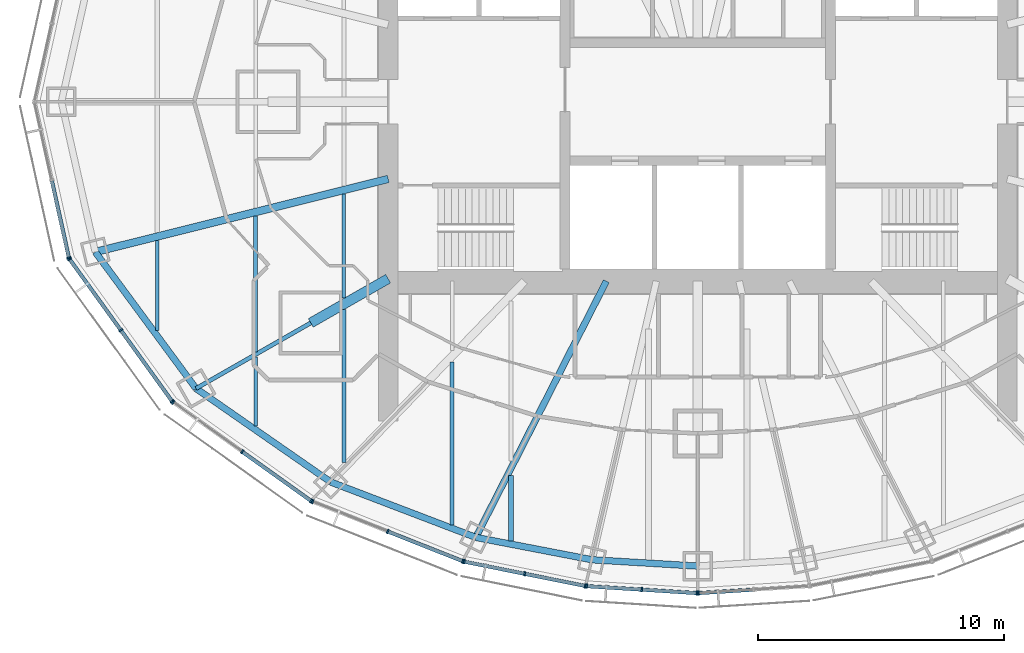
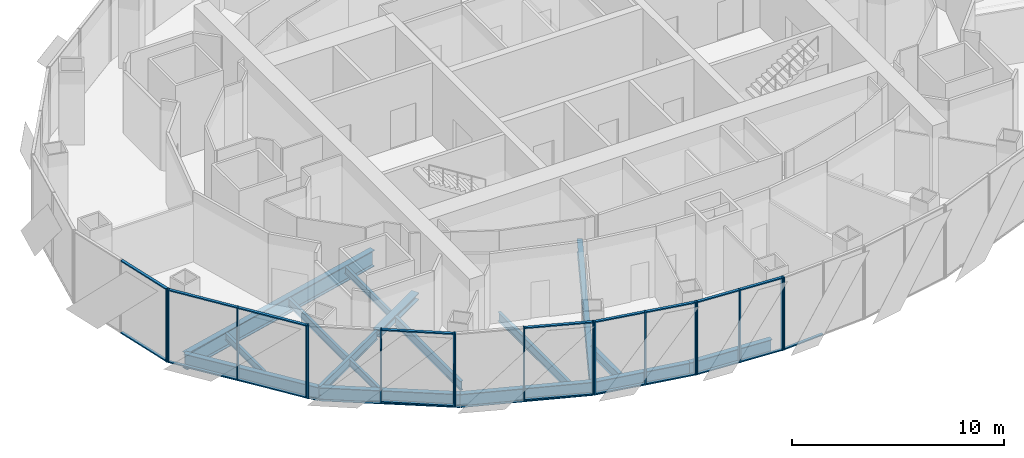
# One storey, part 2 of 18: 36 members, 16 beams, 7 elements without a shape of their own.
"""IFC4 building model written with IfcOpenShell, lengths in metres."""

import ifcopenshell
import ifcopenshell.guid

model = None  # the IFC model being written
_history = None  # IfcOwnerHistory: only IFC2X3 demands one
_inside = {}  # id of a spatial element -> (the spatial element, [elements in it])
_under = {}  # id of a project, library or spatial element -> (it, [spatial elements below it])
_declared = {}  # id of a project -> (the project, [libraries it declares])
_typed = {}  # id of a type object -> (the type object, [elements of that type])
_made_of = {}  # id of a material, layer set ... -> (it, [elements and type objects made of it])


def new_model(schema):
    """Start an empty IFC model of exactly this schema.

    Asked for "IFC4X3", IfcOpenShell would pick the latest addendum, in which some entities
    have other attributes; the version numbers below select the first issue.
    IFC2X3 requires an IfcOwnerHistory on every rooted entity: one is made here for all.
    """
    global model, _history
    if schema == "IFC4X3":
        model = ifcopenshell.file(schema_version=(4, 3, 0, 0))
    else:
        model = ifcopenshell.file(schema=schema)
    _inside.clear()
    _under.clear()
    _declared.clear()
    _typed.clear()
    _made_of.clear()
    _history = None
    if model.schema == "IFC2X3":
        org = make("IfcOrganization", Name="unknown")
        user = make(
            "IfcPersonAndOrganization",
            ThePerson=make("IfcPerson", FamilyName="unknown"),
            TheOrganization=org,
        )
        app = make(
            "IfcApplication",
            ApplicationDeveloper=org,
            Version="unknown",
            ApplicationFullName="unknown",
            ApplicationIdentifier="unknown",
        )
        _history = make(
            "IfcOwnerHistory",
            OwningUser=user,
            OwningApplication=app,
            ChangeAction="ADDED",
            CreationDate=0,
        )
    return model


def make(cls, **values):
    """One entity of the class cls with the attributes given. An attribute that is None is left unset."""
    return model.create_entity(
        cls, **{name: value for name, value in values.items() if value is not None}
    )


def rooted(cls, **values):
    """An entity with a GlobalId (a new one), such as an element, a storey or a relation."""
    return make(cls, GlobalId=ifcopenshell.guid.new(), OwnerHistory=_history, **values)


def si_unit(unit_type, name, prefix=None):
    """IfcSIUnit, for example si_unit("LENGTHUNIT", "METRE", prefix="MILLI")."""
    return make("IfcSIUnit", UnitType=unit_type, Prefix=prefix, Name=name)


def assignment(units):
    """IfcUnitAssignment: the units of a project."""
    return None if units is None else make("IfcUnitAssignment", Units=units)


def point(xyz):
    """IfcCartesianPoint."""
    return None if xyz is None else make("IfcCartesianPoint", Coordinates=xyz)


def direction(xyz):
    """IfcDirection."""
    return None if xyz is None else make("IfcDirection", DirectionRatios=xyz)


def frame(location, z_axis=None, x_axis=None):
    """IfcAxis2Placement3D, a coordinate frame: its origin and axes. An axis left out is left unset."""
    return make(
        "IfcAxis2Placement3D",
        Location=point(location),
        Axis=direction(z_axis),
        RefDirection=direction(x_axis),
    )


def frame_2d(location, x_axis=None):
    """IfcAxis2Placement2D, a coordinate frame in the plane: its origin and x axis."""
    return make(
        "IfcAxis2Placement2D", Location=point(location), RefDirection=direction(x_axis)
    )


def origin():
    """The frame at (0, 0, 0) with its axes left unset."""
    return frame((0.0, 0.0, 0.0))


def origin_2d():
    """The frame at (0, 0) in the plane with its x axis left unset."""
    return frame_2d((0.0, 0.0))


def place(relative_to, where):
    """IfcLocalPlacement: puts the frame where relative to a parent placement (None: the world)."""
    return make(
        "IfcLocalPlacement", PlacementRelTo=relative_to, RelativePlacement=where
    )


def context(
    kind, dimensions, precision=None, world=None, true_north=None, identifier=None
):
    """IfcGeometricRepresentationContext, for example the 3D "Model" context."""
    return make(
        "IfcGeometricRepresentationContext",
        ContextIdentifier=identifier,
        ContextType=kind,
        CoordinateSpaceDimension=dimensions,
        Precision=precision,
        WorldCoordinateSystem=world,
        TrueNorth=true_north,
    )


def subcontext(parent, identifier, kind, view, scale=None):
    """IfcGeometricRepresentationSubContext, for example "Body" below "Model"."""
    return make(
        "IfcGeometricRepresentationSubContext",
        ContextIdentifier=identifier,
        ContextType=kind,
        ParentContext=parent,
        TargetScale=scale,
        TargetView=view,
    )


def project(units=None, contexts=None):
    """IfcProject with its units and contexts."""
    return rooted(
        "IfcProject",
        Name="project",
        RepresentationContexts=contexts,
        UnitsInContext=assignment(units),
    )


def spatial(cls, under=None, at=None, **own):
    """A site, building, storey or space (cls), placed at a placement, below another one or the project."""
    s = rooted(cls, ObjectPlacement=at, **own)
    if under is not None:
        _under.setdefault(under.id(), (under, []))[1].append(s)
    return s


def profile(cls, at=None, kind="AREA", **sizes):
    """A parametric profile (cls). Its sizes go by their IFC names, for example OverallWidth=200.0."""
    return make(cls, ProfileType=kind, Position=at, **sizes)


def rectangle(**sizes):
    """IfcRectangleProfileDef."""
    return profile("IfcRectangleProfileDef", **sizes)


def i_section(**sizes):
    """IfcIShapeProfileDef."""
    return profile("IfcIShapeProfileDef", **sizes)


def extrude(swept, where, along, depth):
    """IfcExtrudedAreaSolid: the profile swept, set in the frame where, extruded along a direction by depth."""
    return make(
        "IfcExtrudedAreaSolid",
        SweptArea=swept,
        Position=where,
        ExtrudedDirection=direction(along),
        Depth=depth,
    )


def shape(context_of_items, identifier, shape_type, items):
    """IfcShapeRepresentation: the items that make up one representation, for example the "Body"."""
    return make(
        "IfcShapeRepresentation",
        ContextOfItems=context_of_items,
        RepresentationIdentifier=identifier,
        RepresentationType=shape_type,
        Items=items,
    )


def material(Name=None, Category=None):
    """IfcMaterial."""
    return make("IfcMaterial", Name=Name, Category=Category)


def material_profile(
    of_material, cross_section, Name=None, Category=None, Priority=None
):
    """IfcMaterialProfile: a cross section and its material."""
    return make(
        "IfcMaterialProfile",
        Name=Name,
        Material=of_material,
        Profile=cross_section,
        Priority=Priority,
        Category=Category,
    )


def profile_set(profiles, Name=None, composite=None):
    """IfcMaterialProfileSet."""
    return make(
        "IfcMaterialProfileSet",
        Name=Name,
        MaterialProfiles=profiles,
        CompositeProfile=composite,
    )


def made_of(thing, what):
    """Note that an element or type object is made of a material, layer set ...; save() writes the relation."""
    if what is not None:
        _made_of.setdefault(what.id(), (what, []))[1].append(thing)
    return thing


def type_object(cls, material=None, **own):
    """A type object (cls), such as IfcWallType, which elements share."""
    return made_of(rooted(cls, **own), material)


def element(
    cls,
    number,
    at=None,
    inside=None,
    cuts=None,
    type_object=None,
    material=None,
    context=None,
    identifier="Body",
    shape_type=None,
    held_by="IfcProductDefinitionShape",
    body=None,
    shapes=None,
    **own,
):
    """One element of the class cls, such as IfcWall. Its Tag is "e" and its number.

    at: its placement. inside: the storey or other place that contains it. cuts: it is an
    opening in that element (IfcRelVoidsElement). A single representation is given by context,
    identifier, shape_type and body (its items); several are given by shapes. held_by: the class
    of the entity that holds the representations. save() writes the other relations.
    """
    e = rooted(cls, Tag="e%d" % number, ObjectPlacement=at, **own)
    if body is not None:
        shapes = [shape(context, identifier, shape_type, body)]
    if shapes is not None:
        e.Representation = make(held_by, Representations=shapes)
    if inside is not None:
        _inside.setdefault(inside.id(), (inside, []))[1].append(e)
    if cuts is not None:
        rooted(
            "IfcRelVoidsElement", RelatingBuildingElement=cuts, RelatedOpeningElement=e
        )
    if type_object is not None:
        _typed.setdefault(type_object.id(), (type_object, []))[1].append(e)
    return made_of(e, material)


def aggregate(whole, parts):
    """IfcRelAggregates: a whole, such as a stair, and the parts it consists of."""
    return rooted("IfcRelAggregates", RelatingObject=whole, RelatedObjects=parts)


def save(model, path):
    """Write the relations noted so far, then the file.

    IfcRelAggregates (storeys below a building ...), IfcRelContainedInSpatialStructure (elements
    in a storey), IfcRelDefinesByType, IfcRelAssociatesMaterial and IfcRelDeclares: one each for
    every whole, place, type object, material and project.
    """
    for whole, parts in _under.values():
        aggregate(whole, parts)
    for where, things in _inside.values():
        rooted(
            "IfcRelContainedInSpatialStructure",
            RelatedElements=things,
            RelatingStructure=where,
        )
    for kind, things in _typed.values():
        rooted("IfcRelDefinesByType", RelatedObjects=things, RelatingType=kind)
    for what, things in _made_of.values():
        rooted("IfcRelAssociatesMaterial", RelatedObjects=things, RelatingMaterial=what)
    for by, libraries in _declared.values():
        rooted("IfcRelDeclares", RelatingContext=by, RelatedDefinitions=libraries)
    model.write(path)


model = new_model("IFC4")

# Units and contexts
model_context = context("Model", 3, precision=1e-05, world=origin(), true_north=direction((0.0, 1.0)))
body_context = subcontext(model_context, "Body", "Model", "MODEL_VIEW")
ifc_project = project(units=[si_unit("LENGTHUNIT", "METRE"), si_unit("AREAUNIT", "SQUARE_METRE"), si_unit("VOLUMEUNIT", "CUBIC_METRE"), si_unit("PLANEANGLEUNIT", "RADIAN"), si_unit("MASSUNIT", "GRAM", prefix="KILO")], contexts=[model_context])

# Site, building, storey
site_placement = place(None, origin())
site = spatial("IfcSite", under=ifc_project, at=site_placement, CompositionType="ELEMENT")
building_placement = place(site_placement, origin())
building = spatial("IfcBuilding", under=site, at=building_placement, Name="Lantaw Convention Tower", CompositionType="ELEMENT")
storey_placement = place(building_placement, frame((0.0, 0.0, 236.800048828125)))
storey = spatial("IfcBuildingStorey", under=building, at=storey_placement, Name="L55", CompositionType="ELEMENT", Elevation=236.800048828125)

# Beams
ifc_material_1 = material(Name="Steel ASTM A992", Category="steel")
ifc_material_profile_1 = material_profile(ifc_material_1, i_section(OverallWidth=0.2666015625, OverallDepth=0.76953125, WebThickness=0.015625, FlangeThickness=0.025390625, FilletRadius=0.0126953125, at=origin_2d()), Name="W30X132")
ifc_profile_set_1 = profile_set([ifc_material_profile_1], Name="Steel ASTM A992")
beam_type_1 = type_object("IfcBeamType", Name="Beam E W30X132", PredefinedType="SPANDREL", material=ifc_profile_set_1)
beam_1_placement = place(storey_placement, frame((-24.52197265625, -6.114013671875, -0.534912109375), z_axis=(0.593639188853, -0.804731329984, 0.0), x_axis=(0.804731329984, 0.593639188853, 0.0)))
element("IfcBeam", 1, at=beam_1_placement, inside=storey, type_object=beam_type_1, Name="Edge beam 14", PredefinedType="SPANDREL", context=body_context, shape_type="SweptSolid", body=[
    extrude(i_section(OverallWidth=0.2666015625, OverallDepth=0.76953125, WebThickness=0.015625, FlangeThickness=0.025390625, FilletRadius=0.0126953125, at=origin_2d()), origin(), (0.0, 0.0, 1.0), 6.904541015625),
])
beam_2_placement = place(storey_placement, frame((-20.423095703125, -11.67041015625, -0.534912109375), z_axis=(0.82135329406, -0.570419815869, 0.0), x_axis=(0.570419815869, 0.82135329406, 0.0)))
element("IfcBeam", 2, at=beam_2_placement, inside=storey, type_object=beam_type_1, Name="Edge beam 15", PredefinedType="SPANDREL", context=body_context, shape_type="SweptSolid", body=[
    extrude(i_section(OverallWidth=0.2666015625, OverallDepth=0.76953125, WebThickness=0.015625, FlangeThickness=0.025390625, FilletRadius=0.0126953125, at=origin_2d()), origin(), (0.0, 0.0, 1.0), 6.67041015625),
])
beam_3_placement = place(storey_placement, frame((-14.9443359375, -15.475341796875, -0.534912109375), z_axis=(0.934234988, -0.356658081637, 0.0), x_axis=(0.356658081637, 0.934234988, 0.0)))
element("IfcBeam", 3, at=beam_3_placement, inside=storey, type_object=beam_type_1, Name="Edge beam 16", PredefinedType="SPANDREL", context=body_context, shape_type="SweptSolid", body=[
    extrude(i_section(OverallWidth=0.2666015625, OverallDepth=0.76953125, WebThickness=0.015625, FlangeThickness=0.025390625, FilletRadius=0.0126953125, at=origin_2d()), origin(), (0.0, 0.0, 1.0), 6.32568359375),
])
beam_4_placement = place(storey_placement, frame((-9.03466796875, -17.7314453125, -0.534912109375), z_axis=(0.981972091702, -0.189025953556, 0.0), x_axis=(0.189025953556, 0.981972091702, 0.0)))
element("IfcBeam", 4, at=beam_4_placement, inside=storey, type_object=beam_type_1, Name="Edge beam 17", PredefinedType="SPANDREL", context=body_context, shape_type="SweptSolid", body=[
    extrude(i_section(OverallWidth=0.2666015625, OverallDepth=0.76953125, WebThickness=0.015625, FlangeThickness=0.025390625, FilletRadius=0.0126953125, at=origin_2d()), origin(), (0.0, 0.0, 1.0), 4.817626953125),
])
beam_5_placement = place(storey_placement, frame((-4.303955078125, -18.64208984375, -0.534912109375), z_axis=(0.998210730897, -0.059794119452, 0.0), x_axis=(0.059794119452, 0.998210730897, 0.0)))
element("IfcBeam", 5, at=beam_5_placement, inside=storey, type_object=beam_type_1, Name="Edge beam 18", PredefinedType="SPANDREL", context=body_context, shape_type="SweptSolid", body=[
    extrude(i_section(OverallWidth=0.2666015625, OverallDepth=0.76953125, WebThickness=0.015625, FlangeThickness=0.025390625, FilletRadius=0.0126953125, at=origin_2d()), origin(), (0.0, 0.0, 1.0), 4.311767578125),
])
ifc_material_profile_2 = material_profile(ifc_material_1, i_section(OverallWidth=0.1650390625, OverallDepth=0.52587890625, WebThickness=0.0087890625, FlangeThickness=0.011474609375, FilletRadius=0.0126953125, at=origin_2d()), Name="W21X44")
ifc_profile_set_2 = profile_set([ifc_material_profile_2], Name="Steel ASTM A992")
beam_type_2 = type_object("IfcBeamType", Name="Beam G W21X44", PredefinedType="BEAM", material=ifc_profile_set_2)
beam_6_placement = place(storey_placement, frame((-15.75, -9.0, -0.412841796875), z_axis=(-0.868237559289, -0.496148708192, 0.0), x_axis=(0.496148708192, -0.868237559289, 0.0)))
element("IfcBeam", 6, at=beam_6_placement, inside=storey, type_object=beam_type_2, Name="Floor girder on ray 15", PredefinedType="BEAM", context=body_context, shape_type="SweptSolid", body=[
    extrude(i_section(OverallWidth=0.1650390625, OverallDepth=0.52587890625, WebThickness=0.0087890625, FlangeThickness=0.011474609375, FilletRadius=0.0126953125, at=origin_2d()), origin(), (0.0, 0.0, 1.0), 5.38232421875),
])
ifc_material_profile_3 = material_profile(ifc_material_1, i_section(OverallWidth=0.2666015625, OverallDepth=0.7568359375, WebThickness=0.013916015625, FlangeThickness=0.019287109375, FilletRadius=0.0126953125, at=origin_2d()), Name="W30X108")
ifc_profile_set_3 = profile_set([ifc_material_profile_3], Name="Steel ASTM A992")
beam_type_3 = type_object("IfcBeamType", Name="Beam G W30X108", PredefinedType="BEAM", material=ifc_profile_set_3)
beam_7_placement = place(storey_placement, frame((-3.719482421875, -7.300048828125, -0.528564453125), z_axis=(-0.4539988787, -0.891002254845, 0.0), x_axis=(0.891002254845, -0.4539988787, 0.0)))
element("IfcBeam", 7, at=beam_7_placement, inside=storey, type_object=beam_type_3, Name="Floor girder on ray 17", PredefinedType="BEAM", context=body_context, shape_type="SweptSolid", body=[
    extrude(i_section(OverallWidth=0.2666015625, OverallDepth=0.7568359375, WebThickness=0.013916015625, FlangeThickness=0.019287109375, FilletRadius=0.0126953125, at=origin_2d()), origin(), (0.0, 0.0, 1.0), 11.70751953125),
])
ifc_material_profile_4 = material_profile(ifc_material_1, i_section(OverallWidth=0.307373046875, OverallDepth=0.9423828125, WebThickness=0.022216796875, FlangeThickness=0.039794921875, FilletRadius=0.0126953125, at=origin_2d()), Name="W36X232")
ifc_profile_set_4 = profile_set([ifc_material_profile_4], Name="Steel ASTM A992")
beam_type_4 = type_object("IfcBeamType", Name="Beam G W36X232", PredefinedType="BEAM", material=ifc_profile_set_4)
beam_8_placement = place(storey_placement, frame((-12.60009765625, -3.1416015625, -0.621337890625), z_axis=(-0.970296589314, -0.241918434119, 0.0), x_axis=(0.241918434119, -0.970296589314, 0.0)))
element("IfcBeam", 8, at=beam_8_placement, inside=storey, type_object=beam_type_4, Name="Floor girder on ray 14", PredefinedType="BEAM", context=body_context, shape_type="SweptSolid", body=[
    extrude(i_section(OverallWidth=0.307373046875, OverallDepth=0.9423828125, WebThickness=0.022216796875, FlangeThickness=0.039794921875, FilletRadius=0.0126953125, at=origin_2d()), origin(), (0.0, 0.0, 1.0), 12.286865234375),
])
ifc_material_profile_5 = material_profile(ifc_material_1, i_section(OverallWidth=0.40380859375, OverallDepth=0.406494140625, WebThickness=0.027099609375, FlangeThickness=0.043701171875, FilletRadius=0.01513671875, at=origin_2d()), Name="W14X233")
ifc_profile_set_5 = profile_set([ifc_material_profile_5], Name="Steel ASTM A992")
beam_type_5 = type_object("IfcBeamType", Name="Beam GM W14X233", PredefinedType="BEAM", material=ifc_profile_set_5)
beam_9_placement = place(storey_placement, frame((-12.60009765625, -7.199951171875, -0.353271484375), z_axis=(-0.868230718294, -0.496160679428, 0.0), x_axis=(0.496160679428, -0.868230718294, 0.0)))
element("IfcBeam", 9, at=beam_9_placement, inside=storey, type_object=beam_type_5, Name="Core link beam on ray 15", PredefinedType="BEAM", context=body_context, shape_type="SweptSolid", body=[
    extrude(i_section(OverallWidth=0.40380859375, OverallDepth=0.406494140625, WebThickness=0.027099609375, FlangeThickness=0.043701171875, FilletRadius=0.01513671875, at=origin_2d()), origin(), (0.0, 0.0, 1.0), 3.6279296875),
])
ifc_material_profile_6 = material_profile(ifc_material_1, i_section(OverallWidth=0.140380859375, OverallDepth=0.40380859375, WebThickness=0.007080078125, FlangeThickness=0.01123046875, FilletRadius=0.01025390625, at=origin_2d()), Name="W16X31")
ifc_profile_set_6 = profile_set([ifc_material_profile_6], Name="Steel ASTM A992")
beam_type_6 = type_object("IfcBeamType", Name="Beam J W16X31", PredefinedType="JOIST", material=ifc_profile_set_6)
beam_10_placement = place(storey_placement, frame((-22.0, -9.30810546875, -0.35205078125), z_axis=(0.0, 1.0, 0.0), x_axis=(-1.0, 0.0, 0.0)))
element("IfcBeam", 10, at=beam_10_placement, inside=storey, type_object=beam_type_6, Name="Floor joist", PredefinedType="JOIST", context=body_context, shape_type="SweptSolid", body=[
    extrude(i_section(OverallWidth=0.140380859375, OverallDepth=0.40380859375, WebThickness=0.007080078125, FlangeThickness=0.01123046875, FilletRadius=0.01025390625, at=origin_2d()), origin(), (0.0, 0.0, 1.0), 3.66455078125),
])
beam_11_placement = place(storey_placement, frame((-18.0, -13.19091796875, -0.35205078125), z_axis=(0.0, 1.0, 0.0), x_axis=(-1.0, 0.0, 0.0)))
element("IfcBeam", 11, at=beam_11_placement, inside=storey, type_object=beam_type_6, Name="Floor joist", PredefinedType="JOIST", context=body_context, shape_type="SweptSolid", body=[
    extrude(i_section(OverallWidth=0.140380859375, OverallDepth=0.40380859375, WebThickness=0.007080078125, FlangeThickness=0.01123046875, FilletRadius=0.01025390625, at=origin_2d()), origin(), (0.0, 0.0, 1.0), 2.81005859375),
])
beam_12_placement = place(storey_placement, frame((-14.39990234375, -7.99609375, -0.35205078125), z_axis=(0.0, 1.0, 0.0), x_axis=(-1.0, 0.0, 0.0)))
element("IfcBeam", 12, at=beam_12_placement, inside=storey, type_object=beam_type_6, Name="Floor joist", PredefinedType="JOIST", context=body_context, shape_type="SweptSolid", body=[
    extrude(i_section(OverallWidth=0.140380859375, OverallDepth=0.40380859375, WebThickness=0.007080078125, FlangeThickness=0.01123046875, FilletRadius=0.01025390625, at=origin_2d()), origin(), (0.0, 0.0, 1.0), 4.247314453125),
])
ifc_material_profile_7 = material_profile(ifc_material_1, i_section(OverallWidth=0.15234375, OverallDepth=0.449462890625, WebThickness=0.007568359375, FlangeThickness=0.0107421875, FilletRadius=0.01025390625, at=origin_2d()), Name="W18X35")
ifc_profile_set_7 = profile_set([ifc_material_profile_7], Name="Steel ASTM A992")
beam_type_7 = type_object("IfcBeamType", Name="Beam J W18X35", PredefinedType="JOIST", material=ifc_profile_set_7)
beam_13_placement = place(storey_placement, frame((-18.0, -10.190673828125, -0.374755859375), z_axis=(0.0, 1.0, 0.0), x_axis=(-1.0, 0.0, 0.0)))
element("IfcBeam", 13, at=beam_13_placement, inside=storey, type_object=beam_type_7, Name="Floor joist", PredefinedType="JOIST", context=body_context, shape_type="SweptSolid", body=[
    extrude(i_section(OverallWidth=0.15234375, OverallDepth=0.449462890625, WebThickness=0.007568359375, FlangeThickness=0.0107421875, FilletRadius=0.01025390625, at=origin_2d()), origin(), (0.0, 0.0, 1.0), 5.54443359375),
])
ifc_material_profile_8 = material_profile(ifc_material_1, i_section(OverallWidth=0.1650390625, OverallDepth=0.52587890625, WebThickness=0.0087890625, FlangeThickness=0.011474609375, FilletRadius=0.0126953125, at=origin_2d()), Name="W21X44")
ifc_profile_set_8 = profile_set([ifc_material_profile_8], Name="Steel ASTM A992")
beam_type_8 = type_object("IfcBeamType", Name="Beam J W21X44", PredefinedType="JOIST", material=ifc_profile_set_8)
beam_14_placement = place(storey_placement, frame((-14.39990234375, -14.67578125, -0.412841796875), z_axis=(0.0, 1.0, 0.0), x_axis=(-1.0, 0.0, 0.0)))
element("IfcBeam", 14, at=beam_14_placement, inside=storey, type_object=beam_type_8, Name="Floor joist", PredefinedType="JOIST", context=body_context, shape_type="SweptSolid", body=[
    extrude(i_section(OverallWidth=0.1650390625, OverallDepth=0.52587890625, WebThickness=0.0087890625, FlangeThickness=0.011474609375, FilletRadius=0.0126953125, at=origin_2d()), origin(), (0.0, 0.0, 1.0), 6.214599609375),
])
beam_15_placement = place(storey_placement, frame((-10.0, -17.22021484375, -0.412841796875), z_axis=(0.0, 1.0, 0.0), x_axis=(-1.0, 0.0, 0.0)))
element("IfcBeam", 15, at=beam_15_placement, inside=storey, type_object=beam_type_8, Name="Floor joist", PredefinedType="JOIST", context=body_context, shape_type="SweptSolid", body=[
    extrude(i_section(OverallWidth=0.1650390625, OverallDepth=0.52587890625, WebThickness=0.0087890625, FlangeThickness=0.011474609375, FilletRadius=0.0126953125, at=origin_2d()), origin(), (0.0, 0.0, 1.0), 6.629150390625),
])
ifc_material_profile_9 = material_profile(ifc_material_1, i_section(OverallWidth=0.2099609375, OverallDepth=0.535888671875, WebThickness=0.010986328125, FlangeThickness=0.017333984375, FilletRadius=0.012939453125, at=origin_2d()), Name="W21X68")
ifc_profile_set_9 = profile_set([ifc_material_profile_9], Name="Steel ASTM A992")
beam_type_9 = type_object("IfcBeamType", Name="Beam J W21X68", PredefinedType="JOIST", material=ifc_profile_set_9)
beam_16_placement = place(storey_placement, frame((-7.60009765625, -17.871826171875, -0.41796875), z_axis=(0.0, 1.0, 0.0), x_axis=(-1.0, 0.0, 0.0)))
element("IfcBeam", 16, at=beam_16_placement, inside=storey, type_object=beam_type_9, Name="Floor joist", PredefinedType="JOIST", context=body_context, shape_type="SweptSolid", body=[
    extrude(i_section(OverallWidth=0.2099609375, OverallDepth=0.535888671875, WebThickness=0.010986328125, FlangeThickness=0.017333984375, FilletRadius=0.012939453125, at=origin_2d()), origin(), (0.0, 0.0, 1.0), 2.662353515625),
])

# Curtain wall, member
ifc_material_2 = material(Name="Aluminium framed curtain wall", Category="aluminium")
curtain_wall_type = type_object("IfcCurtainWallType", Name="Office curtain wall high rise, pale aluminium", PredefinedType="USERDEFINED", material=ifc_material_2)
curtain_wall_1_placement = place(storey_placement, origin())
curtain_wall_1 = element("IfcCurtainWall", 17, at=curtain_wall_1_placement, inside=storey, type_object=curtain_wall_type, Name="Office curtain wall high rise, pale aluminium L55", ObjectType="UNITISED CURTAIN WALL", PredefinedType="USERDEFINED")
ifc_material_3 = material(Name="Aluminium 6063-T6", Category="aluminium")
ifc_material_profile_10 = material_profile(ifc_material_3, rectangle(XDim=0.179931640625, YDim=0.06494140625, at=origin_2d()), Name="CW-O2 mullion 65x180")
ifc_profile_set_10 = profile_set([ifc_material_profile_10], Name="Aluminium 6063-T6")
member_type_1 = type_object("IfcMemberType", Name="CW-O2 mullion 65x180", PredefinedType="MULLION", material=ifc_profile_set_10)
member_1_placement = place(storey_placement, frame((-25.596435546875, -6.348388671875, -0.150146484375), z_axis=(0.0, 0.0, 1.0), x_axis=(0.976417396437, 0.215891333626, 0.0)))
member_1 = element("IfcMember", 18, at=member_1_placement, type_object=member_type_1, Name="CW-O2 mullion 3", PredefinedType="MULLION", context=body_context, shape_type="SweptSolid", body=[
    extrude(rectangle(XDim=0.179931640625, YDim=0.06494140625, at=origin_2d()), origin(), (0.0, 0.0, 1.0), 4.2001953125),
])

# Curtain wall, members
curtain_wall_2_placement = place(storey_placement, origin())
curtain_wall_2 = element("IfcCurtainWall", 19, at=curtain_wall_2_placement, inside=storey, type_object=curtain_wall_type, Name="Office curtain wall high rise, pale aluminium L55", ObjectType="UNITISED CURTAIN WALL", PredefinedType="USERDEFINED")
member_2_placement = place(storey_placement, frame((-25.5703125, -6.406494140625, -0.150146484375), z_axis=(0.0, 0.0, 1.0), x_axis=(0.810919559405, 0.585157643865, 0.0)))
member_2 = element("IfcMember", 20, at=member_2_placement, type_object=member_type_1, Name="CW-O2 mullion 1", PredefinedType="MULLION", context=body_context, shape_type="SweptSolid", body=[
    extrude(rectangle(XDim=0.179931640625, YDim=0.06494140625, at=origin_2d()), origin(), (0.0, 0.0, 1.0), 4.2001953125),
])
member_3_placement = place(storey_placement, frame((-23.483642578125, -9.298095703125, -0.150146484375), z_axis=(0.0, 0.0, 1.0), x_axis=(0.810919559405, 0.585157643865, 0.0)))
member_3 = element("IfcMember", 21, at=member_3_placement, type_object=member_type_1, Name="CW-O2 mullion 2", PredefinedType="MULLION", context=body_context, shape_type="SweptSolid", body=[
    extrude(rectangle(XDim=0.179931640625, YDim=0.06494140625, at=origin_2d()), origin(), (0.0, 0.0, 1.0), 4.2001953125),
])
member_4_placement = place(storey_placement, frame((-21.397216796875, -12.189697265625, -0.150146484375), z_axis=(0.0, 0.0, 1.0), x_axis=(0.810919559405, 0.585157643865, 0.0)))
member_4 = element("IfcMember", 22, at=member_4_placement, type_object=member_type_1, Name="CW-O2 mullion 3", PredefinedType="MULLION", context=body_context, shape_type="SweptSolid", body=[
    extrude(rectangle(XDim=0.179931640625, YDim=0.06494140625, at=origin_2d()), origin(), (0.0, 0.0, 1.0), 4.2001953125),
])

curtain_wall_3_placement = place(storey_placement, origin())
curtain_wall_3 = element("IfcCurtainWall", 23, at=curtain_wall_3_placement, inside=storey, type_object=curtain_wall_type, Name="Office curtain wall high rise, pale aluminium L55", ObjectType="UNITISED CURTAIN WALL", PredefinedType="USERDEFINED")
member_5_placement = place(storey_placement, frame((-21.3515625, -12.23486328125, -0.150146484375), z_axis=(0.0, 0.0, 1.0), x_axis=(0.581323487281, 0.813672540482, 0.0)))
member_5 = element("IfcMember", 24, at=member_5_placement, type_object=member_type_1, Name="CW-O2 mullion 1", PredefinedType="MULLION", context=body_context, shape_type="SweptSolid", body=[
    extrude(rectangle(XDim=0.179931640625, YDim=0.06494140625, at=origin_2d()), origin(), (0.0, 0.0, 1.0), 4.2001953125),
])
member_6_placement = place(storey_placement, frame((-18.543212890625, -14.241455078125, -0.150146484375), z_axis=(0.0, 0.0, 1.0), x_axis=(0.581323487281, 0.813672540482, 0.0)))
member_6 = element("IfcMember", 25, at=member_6_placement, type_object=member_type_1, Name="CW-O2 mullion 2", PredefinedType="MULLION", context=body_context, shape_type="SweptSolid", body=[
    extrude(rectangle(XDim=0.179931640625, YDim=0.06494140625, at=origin_2d()), origin(), (0.0, 0.0, 1.0), 4.2001953125),
])
member_7_placement = place(storey_placement, frame((-15.73486328125, -16.247802734375, -0.150146484375), z_axis=(0.0, 0.0, 1.0), x_axis=(0.581323487281, 0.813672540482, 0.0)))
member_7 = element("IfcMember", 26, at=member_7_placement, type_object=member_type_1, Name="CW-O2 mullion 3", PredefinedType="MULLION", context=body_context, shape_type="SweptSolid", body=[
    extrude(rectangle(XDim=0.179931640625, YDim=0.06494140625, at=origin_2d()), origin(), (0.0, 0.0, 1.0), 4.2001953125),
])

curtain_wall_4_placement = place(storey_placement, origin())
curtain_wall_4 = element("IfcCurtainWall", 27, at=curtain_wall_4_placement, inside=storey, type_object=curtain_wall_type, Name="Office curtain wall high rise, pale aluminium L55", ObjectType="UNITISED CURTAIN WALL", PredefinedType="USERDEFINED")
member_8_placement = place(storey_placement, frame((-15.67822265625, -16.278564453125, -0.150146484375), z_axis=(0.0, 0.0, 1.0), x_axis=(0.368162315252, 0.929761533743, 0.0)))
member_8 = element("IfcMember", 28, at=member_8_placement, type_object=member_type_1, Name="CW-O2 mullion 1", PredefinedType="MULLION", context=body_context, shape_type="SweptSolid", body=[
    extrude(rectangle(XDim=0.179931640625, YDim=0.06494140625, at=origin_2d()), origin(), (0.0, 0.0, 1.0), 4.2001953125),
])
member_9_placement = place(storey_placement, frame((-12.621337890625, -17.4892578125, -0.150146484375), z_axis=(0.0, 0.0, 1.0), x_axis=(0.368162315252, 0.929761533743, 0.0)))
member_9 = element("IfcMember", 29, at=member_9_placement, type_object=member_type_1, Name="CW-O2 mullion 2", PredefinedType="MULLION", context=body_context, shape_type="SweptSolid", body=[
    extrude(rectangle(XDim=0.179931640625, YDim=0.06494140625, at=origin_2d()), origin(), (0.0, 0.0, 1.0), 4.2001953125),
])
member_10_placement = place(storey_placement, frame((-9.564208984375, -18.69970703125, -0.150146484375), z_axis=(0.0, 0.0, 1.0), x_axis=(0.368162315252, 0.929761533743, 0.0)))
member_10 = element("IfcMember", 30, at=member_10_placement, type_object=member_type_1, Name="CW-O2 mullion 3", PredefinedType="MULLION", context=body_context, shape_type="SweptSolid", body=[
    extrude(rectangle(XDim=0.179931640625, YDim=0.06494140625, at=origin_2d()), origin(), (0.0, 0.0, 1.0), 4.2001953125),
])

curtain_wall_5_placement = place(storey_placement, origin())
curtain_wall_5 = element("IfcCurtainWall", 31, at=curtain_wall_5_placement, inside=storey, type_object=curtain_wall_type, Name="Office curtain wall high rise, pale aluminium L55", ObjectType="UNITISED CURTAIN WALL", PredefinedType="USERDEFINED")
member_11_placement = place(storey_placement, frame((-9.502197265625, -18.718017578125, -0.150146484375), z_axis=(0.0, 0.0, 1.0), x_axis=(0.197183095987, 0.980366679695, 0.0)))
member_11 = element("IfcMember", 32, at=member_11_placement, type_object=member_type_1, Name="CW-O2 mullion 1", PredefinedType="MULLION", context=body_context, shape_type="SweptSolid", body=[
    extrude(rectangle(XDim=0.179931640625, YDim=0.06494140625, at=origin_2d()), origin(), (0.0, 0.0, 1.0), 4.2001953125),
])
member_12_placement = place(storey_placement, frame((-7.042724609375, -19.212646484375, -0.150146484375), z_axis=(0.0, 0.0, 1.0), x_axis=(0.197183095987, 0.980366679695, 0.0)))
member_12 = element("IfcMember", 33, at=member_12_placement, type_object=member_type_1, Name="CW-O2 mullion 2", PredefinedType="MULLION", context=body_context, shape_type="SweptSolid", body=[
    extrude(rectangle(XDim=0.179931640625, YDim=0.06494140625, at=origin_2d()), origin(), (0.0, 0.0, 1.0), 4.2001953125),
])
member_13_placement = place(storey_placement, frame((-4.583251953125, -19.70751953125, -0.150146484375), z_axis=(0.0, 0.0, 1.0), x_axis=(0.197183095987, 0.980366679695, 0.0)))
member_13 = element("IfcMember", 34, at=member_13_placement, type_object=member_type_1, Name="CW-O2 mullion 3", PredefinedType="MULLION", context=body_context, shape_type="SweptSolid", body=[
    extrude(rectangle(XDim=0.179931640625, YDim=0.06494140625, at=origin_2d()), origin(), (0.0, 0.0, 1.0), 4.2001953125),
])

curtain_wall_6_placement = place(storey_placement, origin())
curtain_wall_6 = element("IfcCurtainWall", 35, at=curtain_wall_6_placement, inside=storey, type_object=curtain_wall_type, Name="Office curtain wall high rise, pale aluminium L55", ObjectType="UNITISED CURTAIN WALL", PredefinedType="USERDEFINED")
member_14_placement = place(storey_placement, frame((-4.518798828125, -19.7158203125, -0.150146484375), z_axis=(0.0, 0.0, 1.0), x_axis=(0.062757983884, 0.998028774865, 0.0)))
member_14 = element("IfcMember", 36, at=member_14_placement, type_object=member_type_1, Name="CW-O2 mullion 1", PredefinedType="MULLION", context=body_context, shape_type="SweptSolid", body=[
    extrude(rectangle(XDim=0.179931640625, YDim=0.06494140625, at=origin_2d()), origin(), (0.0, 0.0, 1.0), 4.2001953125),
])
member_15_placement = place(storey_placement, frame((-2.275634765625, -19.85693359375, -0.150146484375), z_axis=(0.0, 0.0, 1.0), x_axis=(0.062757983884, 0.998028774865, 0.0)))
member_15 = element("IfcMember", 37, at=member_15_placement, type_object=member_type_1, Name="CW-O2 mullion 2", PredefinedType="MULLION", context=body_context, shape_type="SweptSolid", body=[
    extrude(rectangle(XDim=0.179931640625, YDim=0.06494140625, at=origin_2d()), origin(), (0.0, 0.0, 1.0), 4.2001953125),
])
member_16_placement = place(storey_placement, frame((-0.032470703125, -19.998046875, -0.150146484375), z_axis=(0.0, 0.0, 1.0), x_axis=(0.062757983884, 0.998028774865, 0.0)))
member_16 = element("IfcMember", 38, at=member_16_placement, type_object=member_type_1, Name="CW-O2 mullion 3", PredefinedType="MULLION", context=body_context, shape_type="SweptSolid", body=[
    extrude(rectangle(XDim=0.179931640625, YDim=0.06494140625, at=origin_2d()), origin(), (0.0, 0.0, 1.0), 4.2001953125),
])

# Curtain wall, member
curtain_wall_7_placement = place(storey_placement, origin())
curtain_wall_7 = element("IfcCurtainWall", 39, at=curtain_wall_7_placement, inside=storey, type_object=curtain_wall_type, Name="Office curtain wall high rise, pale aluminium L55", ObjectType="UNITISED CURTAIN WALL", PredefinedType="USERDEFINED")
member_17_placement = place(storey_placement, frame((0.032470703125, -19.998046875, -0.150146484375), z_axis=(0.0, 0.0, 1.0), x_axis=(-0.062757983884, 0.998028774865, 0.0)))
member_17 = element("IfcMember", 40, at=member_17_placement, type_object=member_type_1, Name="CW-O2 mullion 1", PredefinedType="MULLION", context=body_context, shape_type="SweptSolid", body=[
    extrude(rectangle(XDim=0.179931640625, YDim=0.06494140625, at=origin_2d()), origin(), (0.0, 0.0, 1.0), 4.2001953125),
])

# Member
ifc_material_profile_11 = material_profile(ifc_material_3, rectangle(XDim=0.14990234375, YDim=0.06494140625, at=origin_2d()), Name="CW-O2 transom 65x150")
ifc_profile_set_11 = profile_set([ifc_material_profile_11], Name="Aluminium 6063-T6")
member_type_2 = type_object("IfcMemberType", Name="CW-O2 transom 65x150", PredefinedType="USERDEFINED", material=ifc_profile_set_11)
member_18_placement = place(storey_placement, frame((-26.28759765625, -3.2216796875, -0.117431640625), z_axis=(0.215894607042, -0.976416672661, 0.0), x_axis=(0.976416672661, 0.215894607042, 0.0)))
member_18 = element("IfcMember", 41, at=member_18_placement, type_object=member_type_2, Name="CW-O2 transom 2.1", ObjectType="TRANSOM", PredefinedType="USERDEFINED", context=body_context, shape_type="SweptSolid", body=[
    extrude(rectangle(XDim=0.14990234375, YDim=0.06494140625, at=origin_2d()), origin(), (0.0, 0.0, 1.0), 3.169677734375),
])

member_19_placement = place(storey_placement, frame((-26.28759765625, -3.2216796875, 4.017333984375), z_axis=(0.215894607042, -0.976416672661, 0.0), x_axis=(0.976416672661, 0.215894607042, 0.0)))
member_19 = element("IfcMember", 42, at=member_19_placement, type_object=member_type_2, Name="CW-O2 transom 2.2", ObjectType="TRANSOM", PredefinedType="USERDEFINED", context=body_context, shape_type="SweptSolid", body=[
    extrude(rectangle(XDim=0.14990234375, YDim=0.06494140625, at=origin_2d()), origin(), (0.0, 0.0, 1.0), 3.169677734375),
])

aggregate(curtain_wall_1, [member_1, member_18, member_19])

member_20_placement = place(storey_placement, frame((-25.55126953125, -6.432861328125, -0.117431640625), z_axis=(0.585169685931, -0.810910869743, 0.0), x_axis=(0.810910869743, 0.585169685931, 0.0)))
member_20 = element("IfcMember", 43, at=member_20_placement, type_object=member_type_2, Name="CW-O2 transom 1.1", ObjectType="TRANSOM", PredefinedType="USERDEFINED", context=body_context, shape_type="SweptSolid", body=[
    extrude(rectangle(XDim=0.14990234375, YDim=0.06494140625, at=origin_2d()), origin(), (0.0, 0.0, 1.0), 3.500732421875),
])

member_21_placement = place(storey_placement, frame((-25.55126953125, -6.432861328125, 4.017333984375), z_axis=(0.585169685931, -0.810910869743, 0.0), x_axis=(0.810910869743, 0.585169685931, 0.0)))
member_21 = element("IfcMember", 44, at=member_21_placement, type_object=member_type_2, Name="CW-O2 transom 1.2", ObjectType="TRANSOM", PredefinedType="USERDEFINED", context=body_context, shape_type="SweptSolid", body=[
    extrude(rectangle(XDim=0.14990234375, YDim=0.06494140625, at=origin_2d()), origin(), (0.0, 0.0, 1.0), 3.500732421875),
])

member_22_placement = place(storey_placement, frame((-23.464599609375, -9.324462890625, -0.117431640625), z_axis=(0.585123825205, -0.810943961798, 0.0), x_axis=(0.810943961798, 0.585123825205, 0.0)))
member_22 = element("IfcMember", 45, at=member_22_placement, type_object=member_type_2, Name="CW-O2 transom 2.1", ObjectType="TRANSOM", PredefinedType="USERDEFINED", context=body_context, shape_type="SweptSolid", body=[
    extrude(rectangle(XDim=0.14990234375, YDim=0.06494140625, at=origin_2d()), origin(), (0.0, 0.0, 1.0), 3.500732421875),
])

member_23_placement = place(storey_placement, frame((-23.464599609375, -9.324462890625, 4.017333984375), z_axis=(0.585123825205, -0.810943961798, 0.0), x_axis=(0.810943961798, 0.585123825205, 0.0)))
member_23 = element("IfcMember", 46, at=member_23_placement, type_object=member_type_2, Name="CW-O2 transom 2.2", ObjectType="TRANSOM", PredefinedType="USERDEFINED", context=body_context, shape_type="SweptSolid", body=[
    extrude(rectangle(XDim=0.14990234375, YDim=0.06494140625, at=origin_2d()), origin(), (0.0, 0.0, 1.0), 3.500732421875),
])

aggregate(curtain_wall_2, [member_2, member_3, member_4, member_20, member_21, member_22, member_23])

member_24_placement = place(storey_placement, frame((-18.516845703125, -14.26025390625, -0.117431640625), z_axis=(0.813645780821, -0.581360940683, 0.0), x_axis=(0.581360940683, 0.813645780821, 0.0)))
member_24 = element("IfcMember", 47, at=member_24_placement, type_object=member_type_2, Name="CW-O2 transom 2.1", ObjectType="TRANSOM", PredefinedType="USERDEFINED", context=body_context, shape_type="SweptSolid", body=[
    extrude(rectangle(XDim=0.14990234375, YDim=0.06494140625, at=origin_2d()), origin(), (0.0, 0.0, 1.0), 3.386474609375),
])

member_25_placement = place(storey_placement, frame((-18.516845703125, -14.26025390625, 4.017333984375), z_axis=(0.813645780821, -0.581360940683, 0.0), x_axis=(0.581360940683, 0.813645780821, 0.0)))
member_25 = element("IfcMember", 48, at=member_25_placement, type_object=member_type_2, Name="CW-O2 transom 2.2", ObjectType="TRANSOM", PredefinedType="USERDEFINED", context=body_context, shape_type="SweptSolid", body=[
    extrude(rectangle(XDim=0.14990234375, YDim=0.06494140625, at=origin_2d()), origin(), (0.0, 0.0, 1.0), 3.386474609375),
])

aggregate(curtain_wall_3, [member_5, member_6, member_7, member_24, member_25])

member_26_placement = place(storey_placement, frame((-12.591064453125, -17.501220703125, -0.117431640625), z_axis=(0.929766642946, -0.368149412149, 0.0), x_axis=(0.368149412149, 0.929766642946, 0.0)))
member_26 = element("IfcMember", 49, at=member_26_placement, type_object=member_type_2, Name="CW-O2 transom 2.1", ObjectType="TRANSOM", PredefinedType="USERDEFINED", context=body_context, shape_type="SweptSolid", body=[
    extrude(rectangle(XDim=0.14990234375, YDim=0.06494140625, at=origin_2d()), origin(), (0.0, 0.0, 1.0), 3.222900390625),
])

member_27_placement = place(storey_placement, frame((-12.591064453125, -17.501220703125, 4.017333984375), z_axis=(0.929766642946, -0.368149412149, 0.0), x_axis=(0.368149412149, 0.929766642946, 0.0)))
member_27 = element("IfcMember", 50, at=member_27_placement, type_object=member_type_2, Name="CW-O2 transom 2.2", ObjectType="TRANSOM", PredefinedType="USERDEFINED", context=body_context, shape_type="SweptSolid", body=[
    extrude(rectangle(XDim=0.14990234375, YDim=0.06494140625, at=origin_2d()), origin(), (0.0, 0.0, 1.0), 3.222900390625),
])

aggregate(curtain_wall_4, [member_8, member_9, member_10, member_26, member_27])

member_28_placement = place(storey_placement, frame((-9.47021484375, -18.724365234375, -0.117431640625), z_axis=(0.98036104319, -0.197211117829, 0.0), x_axis=(0.197211117829, 0.98036104319, 0.0)))
member_28 = element("IfcMember", 51, at=member_28_placement, type_object=member_type_2, Name="CW-O2 transom 1.1", ObjectType="TRANSOM", PredefinedType="USERDEFINED", context=body_context, shape_type="SweptSolid", body=[
    extrude(rectangle(XDim=0.14990234375, YDim=0.06494140625, at=origin_2d()), origin(), (0.0, 0.0, 1.0), 2.44384765625),
])

member_29_placement = place(storey_placement, frame((-9.47021484375, -18.724365234375, 4.017333984375), z_axis=(0.98036104319, -0.197211117829, 0.0), x_axis=(0.197211117829, 0.98036104319, 0.0)))
member_29 = element("IfcMember", 52, at=member_29_placement, type_object=member_type_2, Name="CW-O2 transom 1.2", ObjectType="TRANSOM", PredefinedType="USERDEFINED", context=body_context, shape_type="SweptSolid", body=[
    extrude(rectangle(XDim=0.14990234375, YDim=0.06494140625, at=origin_2d()), origin(), (0.0, 0.0, 1.0), 2.44384765625),
])

member_30_placement = place(storey_placement, frame((-7.0107421875, -19.21923828125, -0.117431640625), z_axis=(0.980380354178, -0.197115096178, 0.0), x_axis=(0.197115096178, 0.980380354178, 0.0)))
member_30 = element("IfcMember", 53, at=member_30_placement, type_object=member_type_2, Name="CW-O2 transom 2.1", ObjectType="TRANSOM", PredefinedType="USERDEFINED", context=body_context, shape_type="SweptSolid", body=[
    extrude(rectangle(XDim=0.14990234375, YDim=0.06494140625, at=origin_2d()), origin(), (0.0, 0.0, 1.0), 2.443603515625),
])

member_31_placement = place(storey_placement, frame((-7.0107421875, -19.21923828125, 4.017333984375), z_axis=(0.980380354178, -0.197115096178, 0.0), x_axis=(0.197115096178, 0.980380354178, 0.0)))
member_31 = element("IfcMember", 54, at=member_31_placement, type_object=member_type_2, Name="CW-O2 transom 2.2", ObjectType="TRANSOM", PredefinedType="USERDEFINED", context=body_context, shape_type="SweptSolid", body=[
    extrude(rectangle(XDim=0.14990234375, YDim=0.06494140625, at=origin_2d()), origin(), (0.0, 0.0, 1.0), 2.443603515625),
])

aggregate(curtain_wall_5, [member_11, member_12, member_13, member_28, member_29, member_30, member_31])

member_32_placement = place(storey_placement, frame((-4.486328125, -19.7177734375, -0.117431640625), z_axis=(0.998021991509, -0.062865765437, 0.0), x_axis=(0.062865765437, 0.998021991509, 0.0)))
member_32 = element("IfcMember", 55, at=member_32_placement, type_object=member_type_2, Name="CW-O2 transom 1.1", ObjectType="TRANSOM", PredefinedType="USERDEFINED", context=body_context, shape_type="SweptSolid", body=[
    extrude(rectangle(XDim=0.14990234375, YDim=0.06494140625, at=origin_2d()), origin(), (0.0, 0.0, 1.0), 2.1826171875),
])

member_33_placement = place(storey_placement, frame((-4.486328125, -19.7177734375, 4.017333984375), z_axis=(0.998021991509, -0.062865765437, 0.0), x_axis=(0.062865765437, 0.998021991509, 0.0)))
member_33 = element("IfcMember", 56, at=member_33_placement, type_object=member_type_2, Name="CW-O2 transom 1.2", ObjectType="TRANSOM", PredefinedType="USERDEFINED", context=body_context, shape_type="SweptSolid", body=[
    extrude(rectangle(XDim=0.14990234375, YDim=0.06494140625, at=origin_2d()), origin(), (0.0, 0.0, 1.0), 2.1826171875),
])

member_34_placement = place(storey_placement, frame((-2.2431640625, -19.85888671875, -0.117431640625), z_axis=(0.998029003644, -0.062754345555, 0.0), x_axis=(0.062754345555, 0.998029003644, 0.0)))
member_34 = element("IfcMember", 57, at=member_34_placement, type_object=member_type_2, Name="CW-O2 transom 2.1", ObjectType="TRANSOM", PredefinedType="USERDEFINED", context=body_context, shape_type="SweptSolid", body=[
    extrude(rectangle(XDim=0.14990234375, YDim=0.06494140625, at=origin_2d()), origin(), (0.0, 0.0, 1.0), 2.1826171875),
])

member_35_placement = place(storey_placement, frame((-2.2431640625, -19.85888671875, 4.017333984375), z_axis=(0.998029003644, -0.062754345555, 0.0), x_axis=(0.062754345555, 0.998029003644, 0.0)))
member_35 = element("IfcMember", 58, at=member_35_placement, type_object=member_type_2, Name="CW-O2 transom 2.2", ObjectType="TRANSOM", PredefinedType="USERDEFINED", context=body_context, shape_type="SweptSolid", body=[
    extrude(rectangle(XDim=0.14990234375, YDim=0.06494140625, at=origin_2d()), origin(), (0.0, 0.0, 1.0), 2.1826171875),
])

aggregate(curtain_wall_6, [member_14, member_15, member_16, member_32, member_33, member_34, member_35])

member_36_placement = place(storey_placement, frame((0.06494140625, -19.995849609375, -0.117431640625), z_axis=(0.998029003644, 0.062754345555, 0.0), x_axis=(-0.062754345555, 0.998029003644, 0.0)))
member_36 = element("IfcMember", 59, at=member_36_placement, type_object=member_type_2, Name="CW-O2 transom 1.1", ObjectType="TRANSOM", PredefinedType="USERDEFINED", context=body_context, shape_type="SweptSolid", body=[
    extrude(rectangle(XDim=0.14990234375, YDim=0.06494140625, at=origin_2d()), origin(), (0.0, 0.0, 1.0), 2.1826171875),
])

aggregate(curtain_wall_7, [member_17, member_36])

save(model, "model.ifc")
